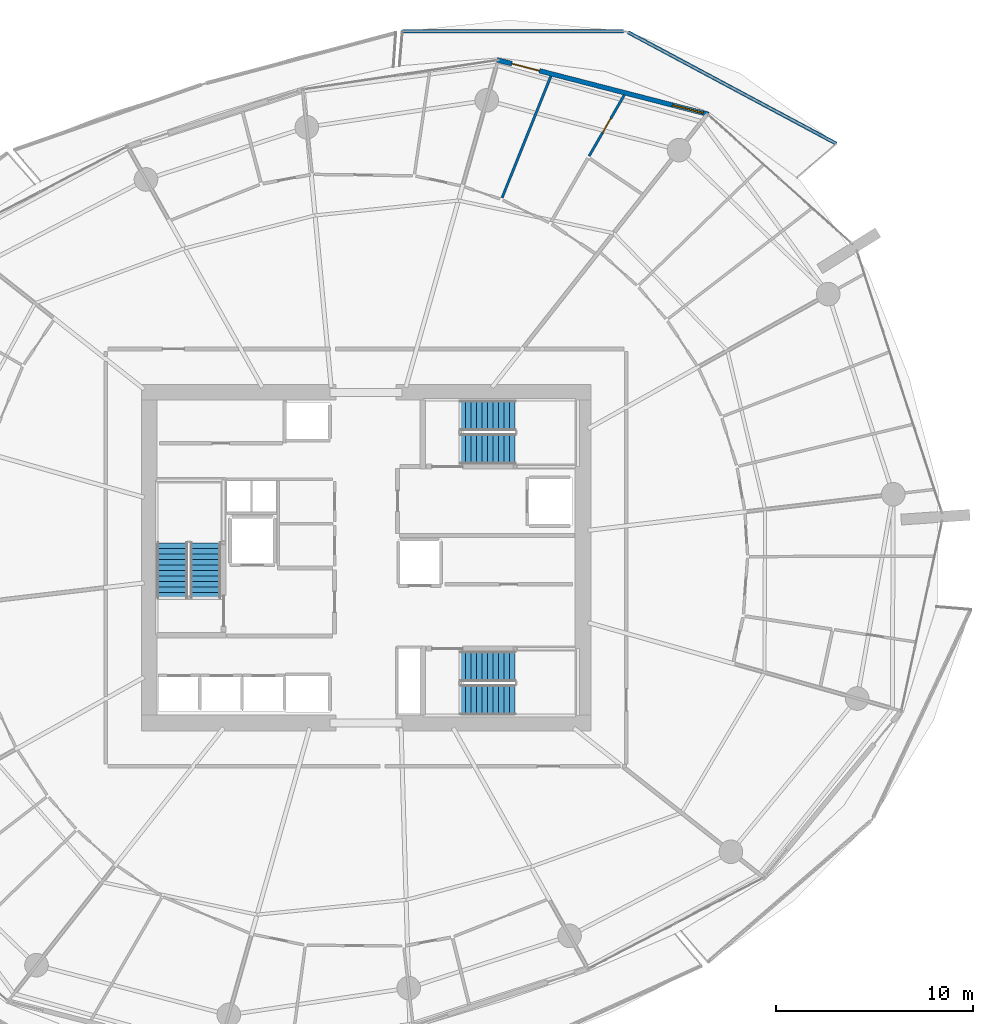
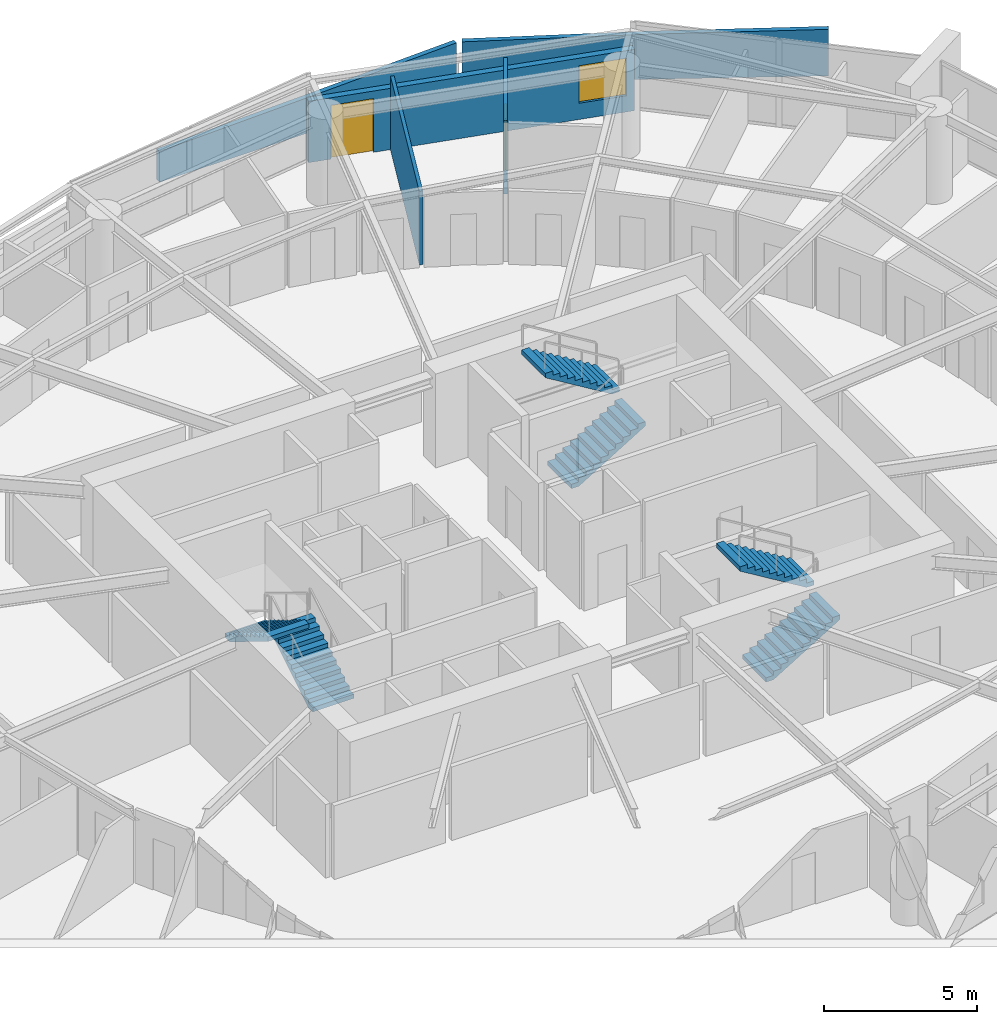
# One storey, part 16 of 23: 6 stair flights, 5 walls, 2 doors, 1 window, 3 openings, 3 elements without a shape of their own.
"""IFC4 building model written with IfcOpenShell, lengths in metres."""

from ifc_helpers import new_model, si_unit, direction, frame, frame_2d, origin, place, context, subcontext, project, spatial, polyline, rectangle, outline, extrude, material, layer, layer_set, type_object, element, fill, aggregate, save


model = new_model("IFC4")

# Units and contexts
model_context = context("Model", 3, precision=1e-05, world=origin(), true_north=direction((0.0, 1.0)))
body_context = subcontext(model_context, "Body", "Model", "MODEL_VIEW")
ifc_project = project(units=[si_unit("LENGTHUNIT", "METRE"), si_unit("AREAUNIT", "SQUARE_METRE"), si_unit("VOLUMEUNIT", "CUBIC_METRE"), si_unit("PLANEANGLEUNIT", "RADIAN"), si_unit("MASSUNIT", "GRAM", prefix="KILO")], contexts=[model_context])

# Site, building, storey
site_placement = place(None, origin())
site = spatial("IfcSite", under=ifc_project, at=site_placement, CompositionType="ELEMENT")
building_placement = place(site_placement, origin())
building = spatial("IfcBuilding", under=site, at=building_placement, Name="Kazma Halo Residences", CompositionType="ELEMENT")
storey_placement = place(building_placement, frame((0.0, 0.0, 105.14990234375)))
storey = spatial("IfcBuildingStorey", under=building, at=storey_placement, Name="L26", CompositionType="ELEMENT", Elevation=105.14990234375)

# Walls
ifc_material_1 = material(Name="White Concrete C50/60 Balustrade", Category="concrete")
ifc_layer_1 = layer(ifc_material_1, 0.179931640625)
ifc_layer_set_1 = layer_set([ifc_layer_1], Name="White Concrete C50/60 Balustrade")
wall_type_1 = type_object("IfcWallType", Name="WL-BAL-WAVE-180", PredefinedType="PARAPET", material=ifc_layer_set_1)
wall_1_placement = place(storey_placement, frame((72.32080078125, 63.0302734375, 0.0), z_axis=(0.0, 0.0, 1.0), x_axis=(-0.881754939151, 0.471707777425, 0.0)))
element("IfcWall", 1, at=wall_1_placement, inside=storey, type_object=wall_type_1, Name="L26 white wave balustrade wall NE.1", PredefinedType="PARAPET", context=body_context, shape_type="SweptSolid", body=[
    extrude(outline(polyline([(0.0, 0.0), (12.0048828125, 0.0), (12.0048828125, 1.632080078125), (6.00244140625, 1.798095703125), (0.0, 1.860107421875), (0.0, 0.0)])), frame((0.0, 0.08984375, 0.0), z_axis=(0.0, -1.0, 0.0), x_axis=(1.0, 0.0, 0.0)), (0.0, 0.0, 1.0), 0.179931640625),
])
wall_2_placement = place(storey_placement, frame((61.509521484375, 68.74951171875, 0.0), z_axis=(0.0, 0.0, 1.0), x_axis=(-0.999999178994, -0.001281409803, 0.0)))
element("IfcWall", 2, at=wall_2_placement, inside=storey, type_object=wall_type_1, Name="L26 white wave balustrade wall NE.2", PredefinedType="PARAPET", context=body_context, shape_type="SweptSolid", body=[
    extrude(outline(polyline([(0.0, 0.0), (11.240966796875, 0.0), (11.2412109375, 1.233154296875), (5.62060546875, 1.418212890625), (0.0, 1.632080078125), (0.0, 0.0)])), frame((0.0, 0.08984375, 0.0), z_axis=(0.0, -1.0, 0.0), x_axis=(1.0, 0.0, 0.0)), (0.0, 0.0, 1.0), 0.179931640625),
])

# Wall, openings, door, window
ifc_material_2 = material(Name="Insulated Pale-Metal Composite Wall")
ifc_layer_2 = layer(ifc_material_2, 0.239990234375)
ifc_layer_set_2 = layer_set([ifc_layer_2], Name="Insulated Pale-Metal Composite Wall")
wall_type_2 = type_object("IfcWallType", Name="WL-EXT-HOST-240", PredefinedType="SOLIDWALL", material=ifc_layer_set_2)
wall_3_placement = place(storey_placement, frame((65.81396484375, 64.52294921875, 0.0), z_axis=(0.0, 0.0, 1.0), x_axis=(-0.968356180858, 0.249572248045, 0.0)))
wall_3 = element("IfcWall", 3, at=wall_3_placement, inside=storey, type_object=wall_type_2, Name="L26 exterior terrace-access wall B02", PredefinedType="SOLIDWALL", context=body_context, shape_type="SweptSolid", body=[
    extrude(rectangle(XDim=11.08447265625, YDim=0.239990234375, at=frame_2d((5.542236328125, 0.0))), origin(), (0.0, 0.0, 1.0), 2.4501953125),
])
opening_1_placement = place(wall_3_placement, frame((8.864501953125, 0.0, 0.0)))
opening_1 = element("IfcOpeningElement", 4, at=opening_1_placement, cuts=wall_3, Name="Opening DTR-1600", PredefinedType="OPENING", context=body_context, shape_type="SweptSolid", body=[
    extrude(rectangle(XDim=1.449951171875, YDim=2.14990234375, at=frame_2d((0.72509765625, 1.074951171875))), frame((0.0, 0.1298828125, 0.0), z_axis=(0.0, -1.0, 0.0), x_axis=(1.0, 0.0, 0.0)), (0.0, 0.0, 1.0), 0.260009765625),
])
opening_2_placement = place(wall_3_placement, frame((0.280029296875, 0.0, 0.64990234375)))
opening_2 = element("IfcOpeningElement", 5, at=opening_2_placement, cuts=wall_3, Name="Opening W-1800", PredefinedType="OPENING", context=body_context, shape_type="SweptSolid", body=[
    extrude(rectangle(XDim=1.60009765625, YDim=1.5, at=frame_2d((0.800048828125, 0.75))), frame((0.0, 0.1298828125, 0.0), z_axis=(0.0, -1.0, 0.0), x_axis=(1.0, 0.0, 0.0)), (0.0, 0.0, 1.0), 0.260009765625),
])
ifc_material_3 = material(Name="Aluminium AW-6063 T6 Double-Glazed Terrace Door", Category="aluminium")
door_type_1 = type_object("IfcDoorType", Name="DR-EXT-TERR-1600", OperationType="NOTDEFINED", PredefinedType="DOOR", material=ifc_material_3)
door_1_placement = place(opening_1_placement, origin())
door_1 = element("IfcDoor", 6, at=door_1_placement, inside=storey, type_object=door_type_1, Name="L26 B02 balcony terrace door", OperationType="DOUBLE_DOOR_SLIDING", OverallHeight=2.14990234375, OverallWidth=1.449951171875, PredefinedType="DOOR", context=body_context, shape_type="SweptSolid", body=[
    extrude(rectangle(XDim=1.449951171875, YDim=2.14990234375, at=frame_2d((0.72509765625, 1.074951171875))), frame((0.0, 0.02490234375, 0.0), z_axis=(0.0, -1.0, 0.0), x_axis=(1.0, 0.0, 0.0)), (0.0, 0.0, 1.0), 0.050048828125),
])
fill(opening_1, door_1)
ifc_material_4 = material(Name="Clear Triple-Silver Low-E Glass in Aluminium AW-6063 T6 Frame", Category="aluminium")
window_type = type_object("IfcWindowType", Name="WIN-RES-1800", PartitioningType="DOUBLE_PANEL_VERTICAL", PredefinedType="WINDOW", material=ifc_material_4)
window_placement = place(opening_2_placement, origin())
window = element("IfcWindow", 7, at=window_placement, inside=storey, type_object=window_type, Name="L26 B02 apartment window", OverallHeight=1.5, OverallWidth=1.60009765625, PartitioningType="SINGLE_PANEL", PredefinedType="WINDOW", context=body_context, shape_type="SweptSolid", body=[
    extrude(rectangle(XDim=1.60009765625, YDim=1.5, at=frame_2d((0.800048828125, 0.75))), frame((0.0, 0.030029296875, 0.0), z_axis=(0.0, -1.0, 0.0), x_axis=(1.0, 0.0, 0.0)), (0.0, 0.0, 1.0), 0.06005859375),
])
fill(opening_2, window)

# Wall, opening, door
ifc_material_5 = material(Name="Gypsum Plasterboard Partition")
ifc_layer_3 = layer(ifc_material_5, 0.125)
ifc_layer_set_3 = layer_set([ifc_layer_3], Name="Gypsum Plasterboard Partition")
wall_type_3 = type_object("IfcWallType", Name="WL-PART-125", PredefinedType="PARTITIONING", material=ifc_layer_set_3)
wall_4_placement = place(storey_placement, frame((59.755859375, 62.40478515625, 0.0), z_axis=(0.0, 0.0, 1.0), x_axis=(0.499189934721, 0.866492590316, 0.0)))
wall_4 = element("IfcWall", 8, at=wall_4_placement, inside=storey, type_object=wall_type_3, Name="L26 Apartment 1 Household Store Room partition wall", PredefinedType="PARTITIONING", context=body_context, shape_type="SweptSolid", body=[
    extrude(rectangle(XDim=3.57275390625, YDim=0.125, at=frame_2d((1.786376953125, 0.0))), origin(), (0.0, 0.0, 1.0), 2.940185546875),
])
opening_3_placement = place(wall_4_placement, frame((1.361328125, 0.0, 0.0)))
opening_3 = element("IfcOpeningElement", 9, at=opening_3_placement, cuts=wall_4, Name="Opening DB-900", PredefinedType="OPENING", context=body_context, shape_type="SweptSolid", body=[
    extrude(rectangle(XDim=0.85009765625, YDim=2.06005859375, at=frame_2d((0.425048828125, 1.030029296875))), frame((0.0, 0.072509765625, 0.0), z_axis=(0.0, -1.0, 0.0), x_axis=(1.0, 0.0, 0.0)), (0.0, 0.0, 1.0), 0.14501953125),
])
ifc_material_6 = material(Name="Moisture-Sealed Timber Leaf", Category="wood")
door_type_2 = type_object("IfcDoorType", Name="DR-BTH-900", OperationType="NOTDEFINED", PredefinedType="DOOR", material=ifc_material_6)
door_2_placement = place(opening_3_placement, origin())
door_2 = element("IfcDoor", 10, at=door_2_placement, inside=storey, type_object=door_type_2, Name="L26 Apartment 1 Household Store Room door", OperationType="SINGLE_SWING_LEFT", OverallHeight=2.06005859375, OverallWidth=0.85009765625, PredefinedType="DOOR", context=body_context, shape_type="SweptSolid", body=[
    extrude(rectangle(XDim=0.85009765625, YDim=2.06005859375, at=frame_2d((0.425048828125, 1.030029296875))), frame((0.0, 0.02490234375, 0.0), z_axis=(0.0, -1.0, 0.0), x_axis=(1.0, 0.0, 0.0)), (0.0, 0.0, 1.0), 0.050048828125),
])
fill(opening_3, door_2)

# Wall
wall_5_placement = place(storey_placement, frame((55.3330078125, 60.283203125, 0.0), z_axis=(0.0, 0.0, 1.0), x_axis=(0.372282601369, 0.928119423737, 0.0)))
element("IfcWall", 11, at=wall_5_placement, inside=storey, type_object=wall_type_3, Name="L26 Apartment 1 suite divider 1", PredefinedType="PARTITIONING", context=body_context, shape_type="SweptSolid", body=[
    extrude(rectangle(XDim=6.653076171875, YDim=0.125, at=frame_2d((3.32666015625, 0.0))), origin(), (0.0, 0.0, 1.0), 2.940185546875),
])

# Stair, stair flights
ifc_material_7 = material(Name="Concrete C50/60", Category="concrete")
stair_type = type_object("IfcStairType", Name="STR-RES1", PredefinedType="HALF_TURN_STAIR", material=ifc_material_7)
stair_1_placement = place(storey_placement, origin())
stair_1 = element("IfcStair", 12, at=stair_1_placement, inside=storey, type_object=stair_type, Name="L26 Core exit stair ST-01", PredefinedType="HALF_TURN_STAIR")
stair_flight_type = type_object("IfcStairFlightType", Name="STR-RES1-FLT", PredefinedType="STRAIGHT", material=ifc_material_7)
stair_flight_1_placement = place(storey_placement, frame((40.27490234375, 39.949951171875, 0.0), z_axis=(0.0, 0.0, 1.0), x_axis=(0.0, 1.0, 0.0)))
stair_flight_1 = element("IfcStairFlight", 13, at=stair_flight_1_placement, type_object=stair_flight_type, Name="ST-01 flight 1", NumberOfRisers=11, NumberOfTreads=10, PredefinedType="STRAIGHT", RiserHeight=0.170454545, TreadLength=0.28, context=body_context, shape_type="SweptSolid", body=[
    extrude(outline(polyline([(0.0, 0.0), (0.0, 0.17041015625), (0.280029296875, 0.17041015625), (0.280029296875, 0.3408203125), (0.56005859375, 0.3408203125), (0.56005859375, 0.511474609375), (0.840087890625, 0.511474609375), (0.840087890625, 0.681884765625), (1.1201171875, 0.681884765625), (1.1201171875, 0.852294921875), (1.39990234375, 0.852294921875), (1.39990234375, 1.022705078125), (1.679931640625, 1.022705078125), (1.679931640625, 1.193115234375), (1.9599609375, 1.193115234375), (1.9599609375, 1.363525390625), (2.239990234375, 1.363525390625), (2.239990234375, 1.5341796875), (2.52001953125, 1.5341796875), (2.52001953125, 1.70458984375), (2.800048828125, 1.70458984375), (2.800048828125, 1.875), (2.800048828125, 1.529052734375), (0.288330078125, 0.0), (0.0, 0.0)])), frame((0.0, 0.77490234375, 0.0), z_axis=(0.0, -1.0, 0.0), x_axis=(1.0, 0.0, 0.0)), (0.0, 0.0, 1.0), 1.550048828125),
])
stair_flight_2_placement = place(storey_placement, frame((38.574951171875, 42.75, 1.875), z_axis=(0.0, 0.0, 1.0), x_axis=(0.0, -1.0, 0.0)))
stair_flight_2 = element("IfcStairFlight", 14, at=stair_flight_2_placement, type_object=stair_flight_type, Name="ST-01 flight 2", NumberOfRisers=11, NumberOfTreads=10, PredefinedType="STRAIGHT", RiserHeight=0.170454545, TreadLength=0.28, context=body_context, shape_type="SweptSolid", body=[
    extrude(outline(polyline([(0.0, 0.0), (0.0, 0.17041015625), (0.280029296875, 0.17041015625), (0.280029296875, 0.3408203125), (0.56005859375, 0.3408203125), (0.56005859375, 0.511474609375), (0.840087890625, 0.511474609375), (0.840087890625, 0.681884765625), (1.1201171875, 0.681884765625), (1.1201171875, 0.852294921875), (1.39990234375, 0.852294921875), (1.39990234375, 1.022705078125), (1.679931640625, 1.022705078125), (1.679931640625, 1.193115234375), (1.9599609375, 1.193115234375), (1.9599609375, 1.363525390625), (2.239990234375, 1.363525390625), (2.239990234375, 1.5341796875), (2.52001953125, 1.5341796875), (2.52001953125, 1.70458984375), (2.800048828125, 1.70458984375), (2.800048828125, 1.875), (2.800048828125, 1.529052734375), (0.288330078125, 0.0), (0.0, 0.0)])), frame((0.0, 0.77490234375, 0.0), z_axis=(0.0, -1.0, 0.0), x_axis=(1.0, 0.0, 0.0)), (0.0, 0.0, 1.0), 1.550048828125),
])
aggregate(stair_1, [stair_flight_1, stair_flight_2])

stair_2_placement = place(storey_placement, origin())
stair_2 = element("IfcStair", 15, at=stair_2_placement, inside=storey, type_object=stair_type, Name="L26 Core exit stair ST-02", PredefinedType="HALF_TURN_STAIR")
stair_flight_3_placement = place(storey_placement, frame((53.199951171875, 47.52490234375, 0.0), z_axis=(0.0, 0.0, 1.0), x_axis=(1.0, 0.0, 0.0)))
stair_flight_3 = element("IfcStairFlight", 16, at=stair_flight_3_placement, type_object=stair_flight_type, Name="ST-02 flight 1", NumberOfRisers=11, NumberOfTreads=10, PredefinedType="STRAIGHT", RiserHeight=0.170454545, TreadLength=0.28, context=body_context, shape_type="SweptSolid", body=[
    extrude(outline(polyline([(0.0, 0.0), (0.0, 0.17041015625), (0.280029296875, 0.17041015625), (0.280029296875, 0.3408203125), (0.56005859375, 0.3408203125), (0.56005859375, 0.511474609375), (0.840087890625, 0.511474609375), (0.840087890625, 0.681884765625), (1.1201171875, 0.681884765625), (1.1201171875, 0.852294921875), (1.39990234375, 0.852294921875), (1.39990234375, 1.022705078125), (1.679931640625, 1.022705078125), (1.679931640625, 1.193115234375), (1.9599609375, 1.193115234375), (1.9599609375, 1.363525390625), (2.239990234375, 1.363525390625), (2.239990234375, 1.5341796875), (2.52001953125, 1.5341796875), (2.52001953125, 1.70458984375), (2.800048828125, 1.70458984375), (2.800048828125, 1.875), (2.800048828125, 1.529052734375), (0.288330078125, 0.0), (0.0, 0.0)])), frame((0.0, 0.77490234375, 0.0), z_axis=(0.0, -1.0, 0.0), x_axis=(1.0, 0.0, 0.0)), (0.0, 0.0, 1.0), 1.550048828125),
])
stair_flight_4_placement = place(storey_placement, frame((56.0, 49.22509765625, 1.875), z_axis=(0.0, 0.0, 1.0), x_axis=(-1.0, 0.0, 0.0)))
stair_flight_4 = element("IfcStairFlight", 17, at=stair_flight_4_placement, type_object=stair_flight_type, Name="ST-02 flight 2", NumberOfRisers=11, NumberOfTreads=10, PredefinedType="STRAIGHT", RiserHeight=0.170454545, TreadLength=0.28, context=body_context, shape_type="SweptSolid", body=[
    extrude(outline(polyline([(0.0, 0.0), (0.0, 0.17041015625), (0.280029296875, 0.17041015625), (0.280029296875, 0.3408203125), (0.56005859375, 0.3408203125), (0.56005859375, 0.511474609375), (0.840087890625, 0.511474609375), (0.840087890625, 0.681884765625), (1.1201171875, 0.681884765625), (1.1201171875, 0.852294921875), (1.39990234375, 0.852294921875), (1.39990234375, 1.022705078125), (1.679931640625, 1.022705078125), (1.679931640625, 1.193115234375), (1.9599609375, 1.193115234375), (1.9599609375, 1.363525390625), (2.239990234375, 1.363525390625), (2.239990234375, 1.5341796875), (2.52001953125, 1.5341796875), (2.52001953125, 1.70458984375), (2.800048828125, 1.70458984375), (2.800048828125, 1.875), (2.800048828125, 1.529052734375), (0.288330078125, 0.0), (0.0, 0.0)])), frame((0.0, 0.77490234375, 0.0), z_axis=(0.0, -1.0, 0.0), x_axis=(1.0, 0.0, 0.0)), (0.0, 0.0, 1.0), 1.550048828125),
])
aggregate(stair_2, [stair_flight_3, stair_flight_4])

stair_3_placement = place(storey_placement, origin())
stair_3 = element("IfcStair", 18, at=stair_3_placement, inside=storey, type_object=stair_type, Name="L26 Core exit stair ST-03", PredefinedType="HALF_TURN_STAIR")
stair_flight_5_placement = place(storey_placement, frame((53.199951171875, 34.77490234375, 0.0), z_axis=(0.0, 0.0, 1.0), x_axis=(1.0, 0.0, 0.0)))
stair_flight_5 = element("IfcStairFlight", 19, at=stair_flight_5_placement, type_object=stair_flight_type, Name="ST-03 flight 1", NumberOfRisers=11, NumberOfTreads=10, PredefinedType="STRAIGHT", RiserHeight=0.170454545, TreadLength=0.28, context=body_context, shape_type="SweptSolid", body=[
    extrude(outline(polyline([(0.0, 0.0), (0.0, 0.17041015625), (0.280029296875, 0.17041015625), (0.280029296875, 0.3408203125), (0.56005859375, 0.3408203125), (0.56005859375, 0.511474609375), (0.840087890625, 0.511474609375), (0.840087890625, 0.681884765625), (1.1201171875, 0.681884765625), (1.1201171875, 0.852294921875), (1.39990234375, 0.852294921875), (1.39990234375, 1.022705078125), (1.679931640625, 1.022705078125), (1.679931640625, 1.193115234375), (1.9599609375, 1.193115234375), (1.9599609375, 1.363525390625), (2.239990234375, 1.363525390625), (2.239990234375, 1.5341796875), (2.52001953125, 1.5341796875), (2.52001953125, 1.70458984375), (2.800048828125, 1.70458984375), (2.800048828125, 1.875), (2.800048828125, 1.529052734375), (0.288330078125, 0.0), (0.0, 0.0)])), frame((0.0, 0.77490234375, 0.0), z_axis=(0.0, -1.0, 0.0), x_axis=(1.0, 0.0, 0.0)), (0.0, 0.0, 1.0), 1.550048828125),
])
stair_flight_6_placement = place(storey_placement, frame((56.0, 36.47509765625, 1.875), z_axis=(0.0, 0.0, 1.0), x_axis=(-1.0, 0.0, 0.0)))
stair_flight_6 = element("IfcStairFlight", 20, at=stair_flight_6_placement, type_object=stair_flight_type, Name="ST-03 flight 2", NumberOfRisers=11, NumberOfTreads=10, PredefinedType="STRAIGHT", RiserHeight=0.170454545, TreadLength=0.28, context=body_context, shape_type="SweptSolid", body=[
    extrude(outline(polyline([(0.0, 0.0), (0.0, 0.17041015625), (0.280029296875, 0.17041015625), (0.280029296875, 0.3408203125), (0.56005859375, 0.3408203125), (0.56005859375, 0.511474609375), (0.840087890625, 0.511474609375), (0.840087890625, 0.681884765625), (1.1201171875, 0.681884765625), (1.1201171875, 0.852294921875), (1.39990234375, 0.852294921875), (1.39990234375, 1.022705078125), (1.679931640625, 1.022705078125), (1.679931640625, 1.193115234375), (1.9599609375, 1.193115234375), (1.9599609375, 1.363525390625), (2.239990234375, 1.363525390625), (2.239990234375, 1.5341796875), (2.52001953125, 1.5341796875), (2.52001953125, 1.70458984375), (2.800048828125, 1.70458984375), (2.800048828125, 1.875), (2.800048828125, 1.529052734375), (0.288330078125, 0.0), (0.0, 0.0)])), frame((0.0, 0.77490234375, 0.0), z_axis=(0.0, -1.0, 0.0), x_axis=(1.0, 0.0, 0.0)), (0.0, 0.0, 1.0), 1.550048828125),
])
aggregate(stair_3, [stair_flight_5, stair_flight_6])

save(model, "model.ifc")
